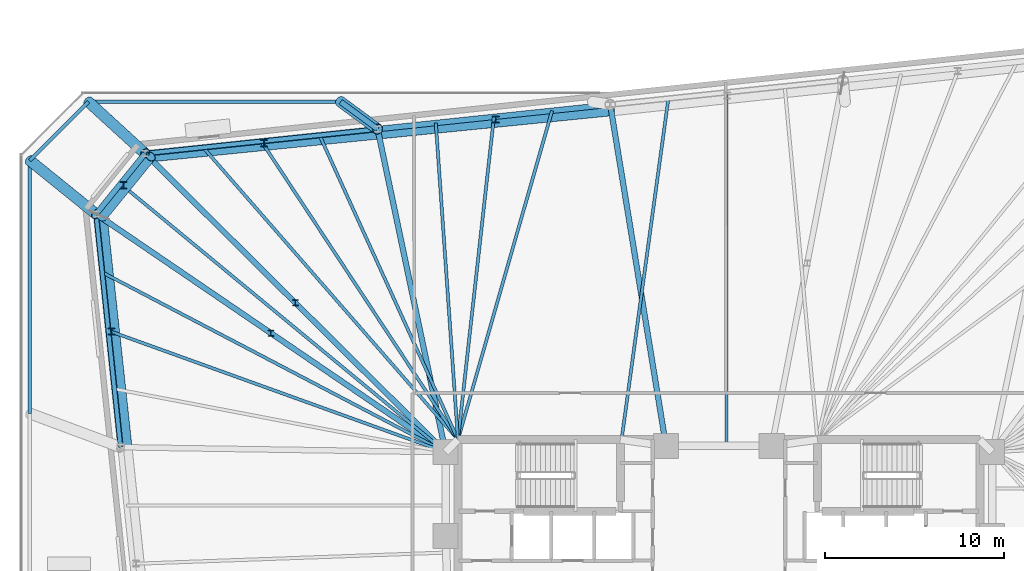
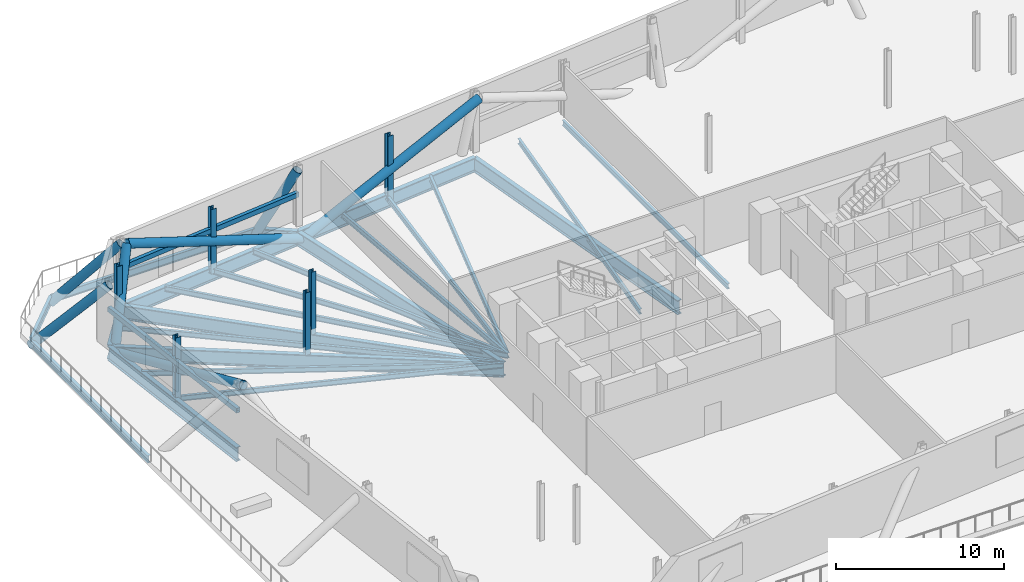
# One storey, part 8 of 17: 23 beams, 15 members.
"""IFC4 building model written with IfcOpenShell, lengths in metres."""

from ifc_helpers import new_model, si_unit, direction, frame, origin, origin_2d, place, context, subcontext, project, spatial, hollow_rectangle, hollow_circle, i_section, extrude, material, material_profile, profile_set, type_object, element, save


model = new_model("IFC4")

# Units and contexts
model_context = context("Model", 3, precision=1e-05, world=origin(), true_north=direction((0.0, 1.0)))
body_context = subcontext(model_context, "Body", "Model", "MODEL_VIEW")
ifc_project = project(units=[si_unit("LENGTHUNIT", "METRE"), si_unit("AREAUNIT", "SQUARE_METRE"), si_unit("VOLUMEUNIT", "CUBIC_METRE"), si_unit("PLANEANGLEUNIT", "RADIAN"), si_unit("MASSUNIT", "GRAM", prefix="KILO")], contexts=[model_context])

# Site, building, storey
site_placement = place(None, origin())
site = spatial("IfcSite", under=ifc_project, at=site_placement, CompositionType="ELEMENT")
building_placement = place(site_placement, origin())
building = spatial("IfcBuilding", under=site, at=building_placement, Name="Menara Jurai Vektor", CompositionType="ELEMENT")
storey_placement = place(building_placement, frame((0.0, 0.0, 78.800048828125)))
storey = spatial("IfcBuildingStorey", under=building, at=storey_placement, Name="L19", CompositionType="ELEMENT", Elevation=78.800048828125)

# Beams
ifc_material_1 = material(Name="Steel S355", Category="steel")
ifc_material_profile_1 = material_profile(ifc_material_1, i_section(OverallWidth=0.2109375, OverallDepth=0.5390625, WebThickness=0.011962890625, FlangeThickness=0.01904296875, FilletRadius=0.012939453125, at=origin_2d()), Name="UKB 533x210x109")
ifc_profile_set_1 = profile_set([ifc_material_profile_1], Name="Steel S355")
beam_type_1 = type_object("IfcBeamType", Name="STR-BM-533", PredefinedType="BEAM", material=ifc_profile_set_1)
beam_1_placement = place(storey_placement, frame((-21.106689453125, 24.449951171875, -0.674560546875), z_axis=(-1.0, 0.0, 0.0), x_axis=(0.0, -1.0, 0.0)))
element("IfcBeam", 1, at=beam_1_placement, inside=storey, type_object=beam_type_1, Name="Step Terrace Edge Beam L19-15", PredefinedType="BEAM", context=body_context, shape_type="SweptSolid", body=[
    extrude(i_section(OverallWidth=0.2109375, OverallDepth=0.5390625, WebThickness=0.011962890625, FlangeThickness=0.01904296875, FilletRadius=0.012939453125, at=origin_2d()), origin(), (0.0, 0.0, 1.0), 14.071044921875),
])
beam_2_placement = place(storey_placement, frame((-35.177734375, 24.449951171875, -0.674560546875), z_axis=(-0.707106781187, -0.707106781187, 0.0), x_axis=(0.707106781187, -0.707106781187, 0.0)))
element("IfcBeam", 2, at=beam_2_placement, inside=storey, type_object=beam_type_1, Name="Step Terrace Edge Beam L19-16", PredefinedType="BEAM", context=body_context, shape_type="SweptSolid", body=[
    extrude(i_section(OverallWidth=0.2109375, OverallDepth=0.5390625, WebThickness=0.011962890625, FlangeThickness=0.01904296875, FilletRadius=0.012939453125, at=origin_2d()), origin(), (0.0, 0.0, 1.0), 4.627685546875),
])
beam_3_placement = place(storey_placement, frame((-38.449951171875, 21.177734375, -0.674560546875), z_axis=(0.0, -1.0, 0.0), x_axis=(1.0, 0.0, 0.0)))
element("IfcBeam", 3, at=beam_3_placement, inside=storey, type_object=beam_type_1, Name="Step Terrace Edge Beam L19-17", PredefinedType="BEAM", context=body_context, shape_type="SweptSolid", body=[
    extrude(i_section(OverallWidth=0.2109375, OverallDepth=0.5390625, WebThickness=0.011962890625, FlangeThickness=0.01904296875, FilletRadius=0.012939453125, at=origin_2d()), origin(), (0.0, 0.0, 1.0), 14.118408203125),
])
ifc_material_2 = material(Name="Steel S460", Category="steel")
ifc_material_profile_2 = material_profile(ifc_material_2, i_section(OverallWidth=0.30908203125, OverallDepth=1.035888671875, WebThickness=0.030029296875, FlangeThickness=0.053955078125, FilletRadius=0.030029296875, at=origin_2d()), Name="UKB 1016x305x487")
ifc_profile_set_2 = profile_set([ifc_material_profile_2], Name="Steel S460")
beam_type_2 = type_object("IfcBeamType", Name="STR-BM-TR1016", PredefinedType="BEAM", material=ifc_profile_set_2)
beam_4_placement = place(storey_placement, frame((-6.0625, 24.29345703125, -0.923095703125), z_axis=(-0.994521636083, -0.104530930169, 0.0), x_axis=(0.104530930169, -0.994521636083, 0.0)))
element("IfcBeam", 4, at=beam_4_placement, inside=storey, type_object=beam_type_2, Name="Belt Truss Bottom Chord L19-14", PredefinedType="BEAM", context=body_context, shape_type="SweptSolid", body=[
    extrude(i_section(OverallWidth=0.30908203125, OverallDepth=1.035888671875, WebThickness=0.030029296875, FlangeThickness=0.053955078125, FilletRadius=0.030029296875, at=origin_2d()), origin(), (0.0, 0.0, 1.0), 13.05126953125),
])
beam_5_placement = place(storey_placement, frame((-6.0625, 24.29345703125, -0.923095703125), z_axis=(0.161304178177, -0.986904738109, 0.0), x_axis=(0.986904738109, 0.161304178177, 0.0)))
element("IfcBeam", 5, at=beam_5_placement, inside=storey, type_object=beam_type_2, Name="Outrigger Transfer Girder L19-N4", PredefinedType="BEAM", context=body_context, shape_type="SweptSolid", body=[
    extrude(i_section(OverallWidth=0.30908203125, OverallDepth=1.035888671875, WebThickness=0.030029296875, FlangeThickness=0.053955078125, FilletRadius=0.030029296875, at=origin_2d()), origin(), (0.0, 0.0, 1.0), 19.296142578125),
])
beam_6_placement = place(storey_placement, frame((-19.042236328125, 22.92919921875, -0.923095703125), z_axis=(-0.994523580592, -0.104512428191, 0.0), x_axis=(0.104512428191, -0.994523580592, 0.0)))
element("IfcBeam", 6, at=beam_6_placement, inside=storey, type_object=beam_type_2, Name="Belt Truss Bottom Chord L19-15", PredefinedType="BEAM", context=body_context, shape_type="SweptSolid", body=[
    extrude(i_section(OverallWidth=0.30908203125, OverallDepth=1.035888671875, WebThickness=0.030029296875, FlangeThickness=0.053955078125, FilletRadius=0.030029296875, at=origin_2d()), origin(), (0.0, 0.0, 1.0), 13.05126953125),
])
beam_7_placement = place(storey_placement, frame((-21.106689453125, 24.449951171875, -0.923095703125), z_axis=(0.805134805359, -0.593091852245, 0.0), x_axis=(0.593091852245, 0.805134805359, 0.0)))
element("IfcBeam", 7, at=beam_7_placement, inside=storey, type_object=beam_type_2, Name="Cantilever Transfer Girder L19-N5", PredefinedType="BEAM", context=body_context, shape_type="SweptSolid", body=[
    extrude(i_section(OverallWidth=0.30908203125, OverallDepth=1.035888671875, WebThickness=0.030029296875, FlangeThickness=0.053955078125, FilletRadius=0.030029296875, at=origin_2d()), origin(), (0.0, 0.0, 1.0), 2.564208984375),
])
beam_8_placement = place(storey_placement, frame((-19.042236328125, 22.92919921875, -0.923095703125), z_axis=(0.205833499861, -0.978587027471, 0.0), x_axis=(0.978587027471, 0.205833499861, 0.0)))
element("IfcBeam", 8, at=beam_8_placement, inside=storey, type_object=beam_type_2, Name="Outrigger Transfer Girder L19-N5", PredefinedType="BEAM", context=body_context, shape_type="SweptSolid", body=[
    extrude(i_section(OverallWidth=0.30908203125, OverallDepth=1.035888671875, WebThickness=0.030029296875, FlangeThickness=0.053955078125, FilletRadius=0.030029296875, at=origin_2d()), origin(), (0.0, 0.0, 1.0), 18.423828125),
])
beam_9_placement = place(storey_placement, frame((-32.02197265625, 21.565185546875, -0.923095703125), z_axis=(-0.629309762217, -0.777154568396, 0.0), x_axis=(0.777154568396, -0.629309762217, 0.0)))
element("IfcBeam", 9, at=beam_9_placement, inside=storey, type_object=beam_type_2, Name="Belt Truss Bottom Chord L19-16", PredefinedType="BEAM", context=body_context, shape_type="SweptSolid", body=[
    extrude(i_section(OverallWidth=0.30908203125, OverallDepth=1.035888671875, WebThickness=0.030029296875, FlangeThickness=0.053955078125, FilletRadius=0.030029296875, at=origin_2d()), origin(), (0.0, 0.0, 1.0), 4.3447265625),
])
beam_10_placement = place(storey_placement, frame((-32.02197265625, 21.565185546875, -0.923095703125), z_axis=(0.709359361276, -0.704847002242, 0.0), x_axis=(0.704847002242, 0.709359361276, 0.0)))
element("IfcBeam", 10, at=beam_10_placement, inside=storey, type_object=beam_type_2, Name="Outrigger Transfer Girder L19-N6", PredefinedType="BEAM", context=body_context, shape_type="SweptSolid", body=[
    extrude(i_section(OverallWidth=0.30908203125, OverallDepth=1.035888671875, WebThickness=0.030029296875, FlangeThickness=0.053955078125, FilletRadius=0.030029296875, at=origin_2d()), origin(), (0.0, 0.0, 1.0), 23.643798828125),
])
beam_11_placement = place(storey_placement, frame((-34.756103515625, 18.188720703125, -0.923095703125), z_axis=(0.104538130097, -0.994520879296, 0.0), x_axis=(0.994520879296, 0.104538130097, 0.0)))
element("IfcBeam", 11, at=beam_11_placement, inside=storey, type_object=beam_type_2, Name="Belt Truss Bottom Chord L19-17", PredefinedType="BEAM", context=body_context, shape_type="SweptSolid", body=[
    extrude(i_section(OverallWidth=0.30908203125, OverallDepth=1.035888671875, WebThickness=0.030029296875, FlangeThickness=0.053955078125, FilletRadius=0.030029296875, at=origin_2d()), origin(), (0.0, 0.0, 1.0), 13.08544921875),
])
beam_12_placement = place(storey_placement, frame((-34.756103515625, 18.188720703125, -0.923095703125), z_axis=(0.826440214756, -0.563024485643, 0.0), x_axis=(0.563024485643, 0.826440214756, 0.0)))
element("IfcBeam", 12, at=beam_12_placement, inside=storey, type_object=beam_type_2, Name="Outrigger Transfer Girder L19-W1", PredefinedType="BEAM", context=body_context, shape_type="SweptSolid", body=[
    extrude(i_section(OverallWidth=0.30908203125, OverallDepth=1.035888671875, WebThickness=0.030029296875, FlangeThickness=0.053955078125, FilletRadius=0.030029296875, at=origin_2d()), origin(), (0.0, 0.0, 1.0), 23.6025390625),
])

# Members
ifc_material_profile_3 = material_profile(ifc_material_2, hollow_circle(Radius=0.304931640625, WallThickness=0.02490234375, at=origin_2d()), Name="CHS 610x25")
ifc_profile_set_3 = profile_set([ifc_material_profile_3], Name="Steel S460")
member_type_1 = type_object("IfcMemberType", Name="STR-BR-610", PredefinedType="BRACE", material=ifc_profile_set_3)
member_1_placement = place(storey_placement, frame((-18.79443359375, 22.696533203125, -0.923095703125), z_axis=(0.930071014565, 0.092721045289, 0.355486589938), x_axis=(-0.099200697857, 0.995067445727, 0.0)))
element("IfcMember", 13, at=member_1_placement, inside=storey, type_object=member_type_1, Name="Belt Truss Web Diagonal L19-14", PredefinedType="BRACE", context=body_context, shape_type="SweptSolid", body=[
    extrude(hollow_circle(Radius=0.304931640625, WallThickness=0.02490234375, at=origin_2d()), origin(), (0.0, 0.0, 1.0), 13.826171875),
])
member_2_placement = place(storey_placement, frame((-18.79443359375, 22.696533203125, -0.923095703125), z_axis=(-0.930669096812, -0.093242640251, 0.353780782799), x_axis=(0.099689738223, -0.995018570728, 0.0)))
element("IfcMember", 14, at=member_2_placement, inside=storey, type_object=member_type_1, Name="Belt Truss Web Diagonal L19-15", PredefinedType="BRACE", context=body_context, shape_type="SweptSolid", body=[
    extrude(hollow_circle(Radius=0.304931640625, WallThickness=0.02490234375, at=origin_2d()), origin(), (0.0, 0.0, 1.0), 13.892822265625),
])
member_3_placement = place(storey_placement, frame((-34.442626953125, 18.056884765625, -0.923095703125), z_axis=(0.41586714888, 0.511589421227, 0.751884817356), x_axis=(-0.775964960757, 0.630776013873, 0.0)))
element("IfcMember", 15, at=member_3_placement, inside=storey, type_object=member_type_1, Name="Belt Truss Web Diagonal L19-16", PredefinedType="BRACE", context=body_context, shape_type="SweptSolid", body=[
    extrude(hollow_circle(Radius=0.304931640625, WallThickness=0.02490234375, at=origin_2d()), origin(), (0.0, 0.0, 1.0), 6.536865234375),
])
member_4_placement = place(storey_placement, frame((-34.442626953125, 18.056884765625, -0.923095703125), z_axis=(0.100368636304, -0.929821237323, 0.354060169279), x_axis=(0.99422446822, 0.107320579537, 0.0)))
element("IfcMember", 16, at=member_4_placement, inside=storey, type_object=member_type_1, Name="Belt Truss Web Diagonal L19-17", PredefinedType="BRACE", context=body_context, shape_type="SweptSolid", body=[
    extrude(hollow_circle(Radius=0.304931640625, WallThickness=0.02490234375, at=origin_2d()), origin(), (0.0, 0.0, 1.0), 13.8818359375),
])
ifc_material_profile_4 = material_profile(ifc_material_2, hollow_rectangle(XDim=0.25, YDim=0.35009765625, WallThickness=0.012451171875, at=origin_2d()), Name="RHS 350x250x12.5")
ifc_profile_set_4 = profile_set([ifc_material_profile_4], Name="Steel S460")
member_type_2 = type_object("IfcMemberType", Name="STR-CH-RHS350", PredefinedType="CHORD", material=ifc_profile_set_4)
member_5_placement = place(storey_placement, frame((-19.042236328125, 22.929443359375, 2.2548828125), z_axis=(-0.994521636083, -0.104530930169, 0.0), x_axis=(0.104530930169, -0.994521636083, 0.0)))
element("IfcMember", 17, at=member_5_placement, inside=storey, type_object=member_type_2, Name="Belt Truss Mid Chord L19-15", PredefinedType="CHORD", context=body_context, shape_type="SweptSolid", body=[
    extrude(hollow_rectangle(XDim=0.25, YDim=0.35009765625, WallThickness=0.012451171875, at=origin_2d()), origin(), (0.0, 0.0, 1.0), 13.05126953125),
])
member_6_placement = place(storey_placement, frame((-34.756103515625, 18.188720703125, 2.2548828125), z_axis=(0.104519676409, -0.994522818865, 0.0), x_axis=(0.994522818865, 0.104519676409, 0.0)))
element("IfcMember", 18, at=member_6_placement, inside=storey, type_object=member_type_2, Name="Belt Truss Mid Chord L19-17", PredefinedType="CHORD", context=body_context, shape_type="SweptSolid", body=[
    extrude(hollow_rectangle(XDim=0.25, YDim=0.35009765625, WallThickness=0.012451171875, at=origin_2d()), origin(), (0.0, 0.0, 1.0), 13.08544921875),
])

# Beams
ifc_material_profile_5 = material_profile(ifc_material_1, i_section(OverallWidth=0.175048828125, OverallDepth=0.3798828125, WebThickness=0.010009765625, FlangeThickness=0.014892578125, at=origin_2d()), Name="PG 380x175x58")
ifc_profile_set_5 = profile_set([ifc_material_profile_5], Name="Steel S355")
beam_type_3 = type_object("IfcBeamType", Name="STR-JS-380", PredefinedType="JOIST", material=ifc_profile_set_5)
beam_13_placement = place(storey_placement, frame((0.42724609375, 24.9755859375, -0.594970703125), z_axis=(0.0, -1.0, 0.0), x_axis=(1.0, 0.0, 0.0)))
element("IfcBeam", 19, at=beam_13_placement, inside=storey, type_object=beam_type_3, Name="Radial Secondary Floor Joist L19-JS27", PredefinedType="JOIST", context=body_context, shape_type="SweptSolid", body=[
    extrude(i_section(OverallWidth=0.175048828125, OverallDepth=0.3798828125, WebThickness=0.010009765625, FlangeThickness=0.014892578125, at=origin_2d()), origin(), (0.0, 0.0, 1.0), 19.7255859375),
])
beam_14_placement = place(storey_placement, frame((-2.817626953125, 24.634521484375, -0.594970703125), z_axis=(-0.135987109192, -0.990710606652, 0.0), x_axis=(0.990710606652, -0.135987109192, 0.0)))
element("IfcBeam", 20, at=beam_14_placement, inside=storey, type_object=beam_type_3, Name="Radial Secondary Floor Joist L19-JS28", PredefinedType="JOIST", context=body_context, shape_type="SweptSolid", body=[
    extrude(i_section(OverallWidth=0.175048828125, OverallDepth=0.3798828125, WebThickness=0.010009765625, FlangeThickness=0.014892578125, at=origin_2d()), origin(), (0.0, 0.0, 1.0), 19.222412109375),
])
beam_15_placement = place(storey_placement, frame((-9.3076171875, 23.952392578125, -0.594970703125), z_axis=(-0.275153530359, -0.961400298903, 0.0), x_axis=(0.961400298903, -0.275153530359, 0.0)))
element("IfcBeam", 21, at=beam_15_placement, inside=storey, type_object=beam_type_3, Name="Radial Secondary Floor Joist L19-JS29", PredefinedType="JOIST", context=body_context, shape_type="SweptSolid", body=[
    extrude(i_section(OverallWidth=0.175048828125, OverallDepth=0.3798828125, WebThickness=0.010009765625, FlangeThickness=0.014892578125, at=origin_2d()), origin(), (0.0, 0.0, 1.0), 19.089111328125),
])
beam_16_placement = place(storey_placement, frame((-12.552490234375, 23.611328125, -0.594970703125), z_axis=(-0.110776028048, -0.993845396231, 0.0), x_axis=(0.993845396231, -0.110776028048, 0.0)))
element("IfcBeam", 22, at=beam_16_placement, inside=storey, type_object=beam_type_3, Name="Radial Secondary Floor Joist L19-JS30", PredefinedType="JOIST", context=body_context, shape_type="SweptSolid", body=[
    extrude(i_section(OverallWidth=0.175048828125, OverallDepth=0.3798828125, WebThickness=0.010009765625, FlangeThickness=0.014892578125, at=origin_2d()), origin(), (0.0, 0.0, 1.0), 18.122802734375),
])
beam_17_placement = place(storey_placement, frame((-15.79736328125, 23.2705078125, -0.594970703125), z_axis=(0.069850249402, -0.997557488398, 0.0), x_axis=(0.997557488398, 0.069850249402, 0.0)))
element("IfcBeam", 23, at=beam_17_placement, inside=storey, type_object=beam_type_3, Name="Radial Secondary Floor Joist L19-JS31", PredefinedType="JOIST", context=body_context, shape_type="SweptSolid", body=[
    extrude(i_section(OverallWidth=0.175048828125, OverallDepth=0.3798828125, WebThickness=0.010009765625, FlangeThickness=0.014892578125, at=origin_2d()), origin(), (0.0, 0.0, 1.0), 17.713623046875),
])
beam_18_placement = place(storey_placement, frame((-22.287109375, 22.58837890625, -0.594970703125), z_axis=(0.414029617818, -0.910263409992, 0.0), x_axis=(0.910263409992, 0.414029617818, 0.0)))
element("IfcBeam", 24, at=beam_18_placement, inside=storey, type_object=beam_type_3, Name="Radial Secondary Floor Joist L19-JS32", PredefinedType="JOIST", context=body_context, shape_type="SweptSolid", body=[
    extrude(i_section(OverallWidth=0.175048828125, OverallDepth=0.3798828125, WebThickness=0.010009765625, FlangeThickness=0.014892578125, at=origin_2d()), origin(), (0.0, 0.0, 1.0), 18.6630859375),
])
beam_19_placement = place(storey_placement, frame((-25.531982421875, 22.247314453125, -0.594970703125), z_axis=(0.550309675793, -0.834960634239, 0.0), x_axis=(0.834960634239, 0.550309675793, 0.0)))
element("IfcBeam", 25, at=beam_19_placement, inside=storey, type_object=beam_type_3, Name="Radial Secondary Floor Joist L19-JS33", PredefinedType="JOIST", context=body_context, shape_type="SweptSolid", body=[
    extrude(i_section(OverallWidth=0.175048828125, OverallDepth=0.3798828125, WebThickness=0.010009765625, FlangeThickness=0.014892578125, at=origin_2d()), origin(), (0.0, 0.0, 1.0), 19.937744140625),
])
beam_20_placement = place(storey_placement, frame((-28.777099609375, 21.90625, -0.594970703125), z_axis=(0.657172520545, -0.753740192798, 0.0), x_axis=(0.753740192798, 0.657172520545, 0.0)))
element("IfcBeam", 26, at=beam_20_placement, inside=storey, type_object=beam_type_3, Name="Radial Secondary Floor Joist L19-JS34", PredefinedType="JOIST", context=body_context, shape_type="SweptSolid", body=[
    extrude(i_section(OverallWidth=0.175048828125, OverallDepth=0.3798828125, WebThickness=0.010009765625, FlangeThickness=0.014892578125, at=origin_2d()), origin(), (0.0, 0.0, 1.0), 21.633544921875),
])
beam_21_placement = place(storey_placement, frame((-33.388916015625, 19.876953125, -0.594970703125), z_axis=(0.771113505069, -0.636697700876, 0.0), x_axis=(0.636697700876, 0.771113505069, 0.0)))
element("IfcBeam", 27, at=beam_21_placement, inside=storey, type_object=beam_type_3, Name="Radial Secondary Floor Joist L19-JS35", PredefinedType="JOIST", context=body_context, shape_type="SweptSolid", body=[
    extrude(i_section(OverallWidth=0.175048828125, OverallDepth=0.3798828125, WebThickness=0.010009765625, FlangeThickness=0.014892578125, at=origin_2d()), origin(), (0.0, 0.0, 1.0), 23.52294921875),
])
beam_22_placement = place(storey_placement, frame((-34.414306640625, 14.935302734375, -0.594970703125), z_axis=(0.885889402471, -0.463896504179, 0.0), x_axis=(0.463896504179, 0.885889402471, 0.0)))
element("IfcBeam", 28, at=beam_22_placement, inside=storey, type_object=beam_type_3, Name="Radial Secondary Floor Joist L19-JS36", PredefinedType="JOIST", context=body_context, shape_type="SweptSolid", body=[
    extrude(i_section(OverallWidth=0.175048828125, OverallDepth=0.3798828125, WebThickness=0.010009765625, FlangeThickness=0.014892578125, at=origin_2d()), origin(), (0.0, 0.0, 1.0), 21.6328125),
])
beam_23_placement = place(storey_placement, frame((-34.072265625, 11.681884765625, -0.594970703125), z_axis=(0.940792327273, -0.338983475917, 0.0), x_axis=(0.338983475917, 0.940792327273, 0.0)))
element("IfcBeam", 29, at=beam_23_placement, inside=storey, type_object=beam_type_3, Name="Radial Secondary Floor Joist L19-JS37", PredefinedType="JOIST", context=body_context, shape_type="SweptSolid", body=[
    extrude(i_section(OverallWidth=0.175048828125, OverallDepth=0.3798828125, WebThickness=0.010009765625, FlangeThickness=0.014892578125, at=origin_2d()), origin(), (0.0, 0.0, 1.0), 20.0068359375),
])

# Members
ifc_material_profile_6 = material_profile(ifc_material_2, i_section(OverallWidth=0.31103515625, OverallDepth=0.326904296875, WebThickness=0.01611328125, FlangeThickness=0.02490234375, FilletRadius=0.014892578125, at=origin_2d()), Name="UKC 305x305x158")
ifc_profile_set_6 = profile_set([ifc_material_profile_6], Name="Steel S460")
member_type_3 = type_object("IfcMemberType", Name="STR-POST-305", PredefinedType="POST", material=ifc_profile_set_6)
for number, where, z_axis, x_axis, name in (
    (30, (-23.635986328125, 13.232666015625, -0.405029296875), (0.0, 0.0, 1.0), (1.0, 0.0, 0.0), "Girder Hanger L19-N6"),
    (31, (-25.0029296875, 11.544189453125, -0.405029296875), (0.0, 0.0, 1.0), (1.0, 0.0, 0.0), "Girder Hanger L19-W1"),
):
    element("IfcMember", number, at=place(storey_placement, frame(where, z_axis=z_axis, x_axis=x_axis)), inside=storey, type_object=member_type_3, Name=name, PredefinedType="POST", context=body_context, shape_type="SweptSolid", body=[
        extrude(i_section(OverallWidth=0.31103515625, OverallDepth=0.326904296875, WebThickness=0.01611328125, FlangeThickness=0.02490234375, FilletRadius=0.014892578125, at=origin_2d()), origin(), (0.0, 0.0, 1.0), 4.554931640625),
    ])
ifc_material_profile_7 = material_profile(ifc_material_2, i_section(OverallWidth=0.375, OverallDepth=0.375, WebThickness=0.01708984375, FlangeThickness=0.027099609375, FilletRadius=0.014892578125, at=origin_2d()), Name="UKC 356x368x202")
ifc_profile_set_7 = profile_set([ifc_material_profile_7], Name="Steel S460")
member_type_4 = type_object("IfcMemberType", Name="STR-POST-368", PredefinedType="POST", material=ifc_profile_set_7)
for number, where, z_axis, x_axis, name in (
    (32, (-12.447021484375, 23.465576171875, -0.755126953125), (0.0, 0.0, 1.0), (1.0, 0.0, 0.0), "Belt Truss Vertical Web Post L19-14"),
    (33, (-25.384521484375, 22.143798828125, -0.755126953125), (0.0, 0.0, 1.0), (1.0, 0.0, 0.0), "Belt Truss Vertical Web Post L19-15"),
    (34, (-33.226806640625, 19.798583984375, -0.755126953125), (0.0, 0.0, 1.0), (1.0, 0.0, 0.0), "Belt Truss Vertical Web Post L19-16"),
    (35, (-33.897705078125, 11.637939453125, -0.755126953125), (0.0, 0.0, 1.0), (1.0, 0.0, 0.0), "Belt Truss Vertical Web Post L19-17"),
):
    element("IfcMember", number, at=place(storey_placement, frame(where, z_axis=z_axis, x_axis=x_axis)), inside=storey, type_object=member_type_4, Name=name, PredefinedType="POST", context=body_context, shape_type="SweptSolid", body=[
        extrude(i_section(OverallWidth=0.375, OverallDepth=0.375, WebThickness=0.01708984375, FlangeThickness=0.027099609375, FilletRadius=0.014892578125, at=origin_2d()), origin(), (0.0, 0.0, 1.0), 4.705078125),
    ])
ifc_material_profile_8 = material_profile(ifc_material_2, hollow_circle(Radius=0.304931640625, WallThickness=0.02490234375, at=origin_2d()), Name="CHS 610x25")
ifc_profile_set_8 = profile_set([ifc_material_profile_8], Name="Steel S460")
member_type_5 = type_object("IfcMemberType", Name="STR-ST-610", PredefinedType="STRUT", material=ifc_profile_set_8)
member_7_placement = place(storey_placement, frame((-21.106689453125, 24.449951171875, -0.923095703125), z_axis=(0.37240286016, -0.274281576759, 0.886614756473), x_axis=(0.593030124897, 0.805180272339, 0.0)))
element("IfcMember", 36, at=member_7_placement, inside=storey, type_object=member_type_5, Name="Transfer Outrigger Strut L19-N5", PredefinedType="STRUT", context=body_context, shape_type="SweptSolid", body=[
    extrude(hollow_circle(Radius=0.304931640625, WallThickness=0.02490234375, at=origin_2d()), origin(), (0.0, 0.0, 1.0), 5.543701171875),
])
member_8_placement = place(storey_placement, frame((-35.177734375, 24.449951171875, -0.923095703125), z_axis=(0.484423434159, -0.442824330654, 0.754480316919), x_axis=(0.674705215472, 0.738087306634, 0.0)))
element("IfcMember", 37, at=member_8_placement, inside=storey, type_object=member_type_5, Name="Transfer Outrigger Strut L19-N6", PredefinedType="STRUT", context=body_context, shape_type="SweptSolid", body=[
    extrude(hollow_circle(Radius=0.304931640625, WallThickness=0.02490234375, at=origin_2d()), origin(), (0.0, 0.0, 1.0), 6.514404296875),
])
member_9_placement = place(storey_placement, frame((-38.449951171875, 21.177734375, -0.923095703125), z_axis=(0.540320833346, -0.437220618814, 0.718951686511), x_axis=(0.629040065106, 0.777372881243, 0.0)))
element("IfcMember", 38, at=member_9_placement, inside=storey, type_object=member_type_5, Name="Transfer Outrigger Strut L19-W1", PredefinedType="STRUT", context=body_context, shape_type="SweptSolid", body=[
    extrude(hollow_circle(Radius=0.304931640625, WallThickness=0.02490234375, at=origin_2d()), origin(), (0.0, 0.0, 1.0), 6.83642578125),
])

save(model, "model.ifc")
